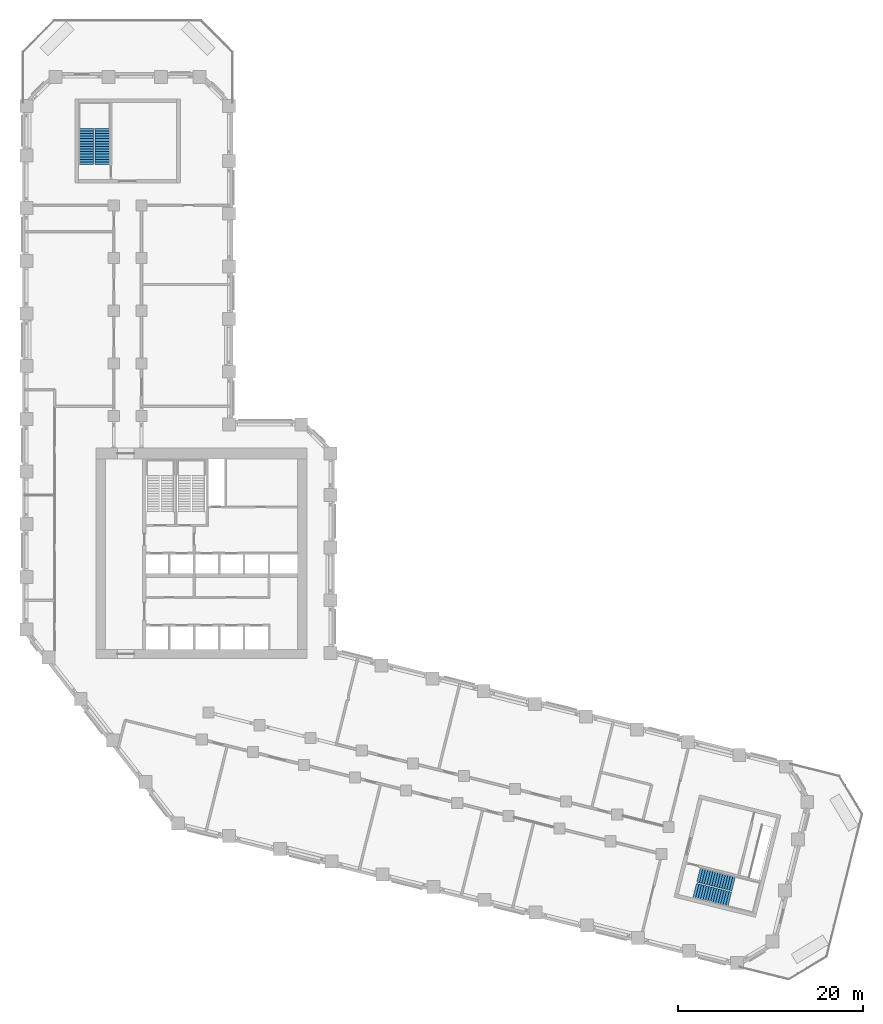
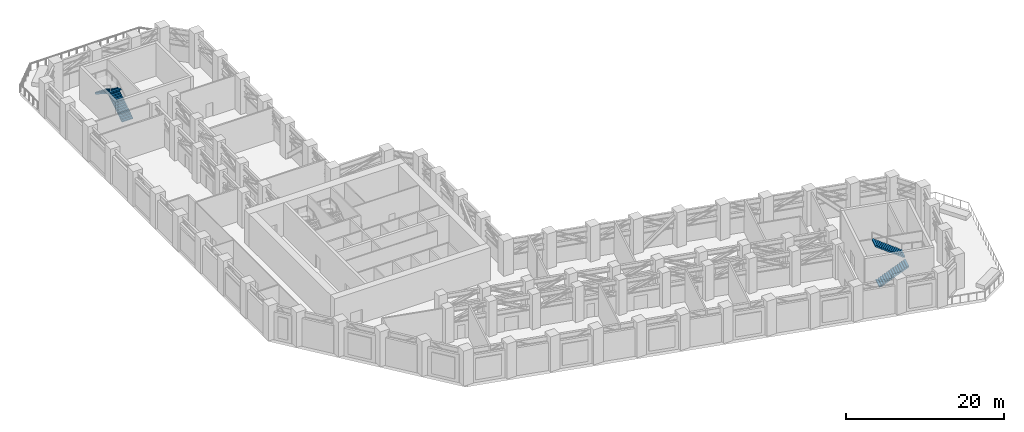
# One storey, part 12 of 14: 4 stair flights, 2 elements without a shape of their own.
"""IFC4 building model written with IfcOpenShell, lengths in metres."""

from ifc_helpers import new_model, si_unit, direction, frame, origin, place, context, subcontext, project, spatial, polyline, outline, extrude, material, type_object, element, aggregate, save


model = new_model("IFC4")

# Units and contexts
model_context = context("Model", 3, precision=1e-05, world=origin(), true_north=direction((0.0, 1.0)))
body_context = subcontext(model_context, "Body", "Model", "MODEL_VIEW")
ifc_project = project(units=[si_unit("LENGTHUNIT", "METRE"), si_unit("AREAUNIT", "SQUARE_METRE"), si_unit("VOLUMEUNIT", "CUBIC_METRE"), si_unit("PLANEANGLEUNIT", "RADIAN"), si_unit("MASSUNIT", "GRAM", prefix="KILO")], contexts=[model_context])

# Site, building, storey
site_placement = place(None, origin())
site = spatial("IfcSite", under=ifc_project, at=site_placement, CompositionType="ELEMENT")
building_placement = place(site_placement, origin())
building = spatial("IfcBuilding", under=site, at=building_placement, Name="Meshkara Civic Tower", CompositionType="ELEMENT")
storey_placement = place(building_placement, frame((0.0, 0.0, 91.800048828125)))
storey = spatial("IfcBuildingStorey", under=building, at=storey_placement, Name="L20", CompositionType="ELEMENT", Elevation=91.800048828125)

# Stair, stair flights
ifc_material_1 = material(Name="Precast concrete C40/50", Category="concrete")
stair_type = type_object("IfcStairType", Name="Exit stair half-turn 30 risers 1600 precast", PredefinedType="HALF_TURN_STAIR", material=ifc_material_1)
stair_1_placement = place(storey_placement, origin())
stair_1 = element("IfcStair", 1, at=stair_1_placement, inside=storey, type_object=stair_type, Name="L20 exit stair A from L20", PredefinedType="HALF_TURN_STAIR")
ifc_material_2 = material(Name="Precast concrete C40/50", Category="concrete")
stair_flight_type = type_object("IfcStairFlightType", Name="Exit stair flight 15 risers 1600 precast", PredefinedType="STRAIGHT", material=ifc_material_2)
stair_flight_1_placement = place(storey_placement, frame((8.675048828125, 67.570068359375, 0.0), z_axis=(0.0, 0.0, 1.0), x_axis=(0.0, 1.0, 0.0)))
stair_flight_1 = element("IfcStairFlight", 2, at=stair_flight_1_placement, type_object=stair_flight_type, Name="ESA2 flight 1", NumberOfRisers=15, NumberOfTreads=14, PredefinedType="STRAIGHT", RiserHeight=0.18, TreadLength=0.28, context=body_context, shape_type="SweptSolid", body=[
    extrude(outline(polyline([(0.0, 0.0), (0.0, 0.179931640625), (0.280029296875, 0.179931640625), (0.280029296875, 0.360107421875), (0.56005859375, 0.360107421875), (0.56005859375, 0.5400390625), (0.840087890625, 0.5400390625), (0.840087890625, 0.719970703125), (1.1201171875, 0.719970703125), (1.1201171875, 0.89990234375), (1.39990234375, 0.89990234375), (1.39990234375, 1.080078125), (1.679931640625, 1.080078125), (1.679931640625, 1.260009765625), (1.9599609375, 1.260009765625), (1.9599609375, 1.43994140625), (2.239990234375, 1.43994140625), (2.239990234375, 1.6201171875), (2.52001953125, 1.6201171875), (2.52001953125, 1.800048828125), (2.800048828125, 1.800048828125), (2.800048828125, 1.97998046875), (3.080078125, 1.97998046875), (3.080078125, 2.159912109375), (3.360107421875, 2.159912109375), (3.360107421875, 2.340087890625), (3.639892578125, 2.340087890625), (3.639892578125, 2.52001953125), (3.919921875, 2.52001953125), (3.919921875, 2.699951171875), (3.919921875, 2.341796875), (0.277099609375, 0.0), (0.0, 0.0)])), frame((0.0, 0.800048828125, 0.0), z_axis=(0.0, -1.0, 0.0), x_axis=(1.0, 0.0, 0.0)), (0.0, 0.0, 1.0), 1.60009765625),
])
stair_flight_2_placement = place(storey_placement, frame((6.925048828125, 71.489990234375, 2.699951171875), z_axis=(0.0, 0.0, 1.0), x_axis=(0.0, -1.0, 0.0)))
stair_flight_2 = element("IfcStairFlight", 3, at=stair_flight_2_placement, type_object=stair_flight_type, Name="ESA2 flight 2", NumberOfRisers=15, NumberOfTreads=14, PredefinedType="STRAIGHT", RiserHeight=0.18, TreadLength=0.28, context=body_context, shape_type="SweptSolid", body=[
    extrude(outline(polyline([(0.0, 0.0), (0.0, 0.179931640625), (0.280029296875, 0.179931640625), (0.280029296875, 0.360107421875), (0.56005859375, 0.360107421875), (0.56005859375, 0.5400390625), (0.840087890625, 0.5400390625), (0.840087890625, 0.719970703125), (1.1201171875, 0.719970703125), (1.1201171875, 0.89990234375), (1.39990234375, 0.89990234375), (1.39990234375, 1.080078125), (1.679931640625, 1.080078125), (1.679931640625, 1.260009765625), (1.9599609375, 1.260009765625), (1.9599609375, 1.43994140625), (2.239990234375, 1.43994140625), (2.239990234375, 1.6201171875), (2.52001953125, 1.6201171875), (2.52001953125, 1.800048828125), (2.800048828125, 1.800048828125), (2.800048828125, 1.97998046875), (3.080078125, 1.97998046875), (3.080078125, 2.159912109375), (3.360107421875, 2.159912109375), (3.360107421875, 2.340087890625), (3.639892578125, 2.340087890625), (3.639892578125, 2.52001953125), (3.919921875, 2.52001953125), (3.919921875, 2.699951171875), (3.919921875, 2.341796875), (0.277099609375, 0.0), (0.0, 0.0)])), frame((0.0, 0.800048828125, 0.0), z_axis=(0.0, -1.0, 0.0), x_axis=(1.0, 0.0, 0.0)), (0.0, 0.0, 1.0), 1.60009765625),
])
aggregate(stair_1, [stair_flight_1, stair_flight_2])

stair_2_placement = place(storey_placement, origin())
stair_2 = element("IfcStair", 4, at=stair_2_placement, inside=storey, type_object=stair_type, Name="L20 exit stair B from L20", PredefinedType="HALF_TURN_STAIR")
stair_flight_3_placement = place(storey_placement, frame((72.7685546875, -11.00634765625, 0.0), z_axis=(0.0, 0.0, 1.0), x_axis=(0.970260066579, -0.242064873955, 0.0)))
stair_flight_3 = element("IfcStairFlight", 5, at=stair_flight_3_placement, type_object=stair_flight_type, Name="ESB2 flight 1", NumberOfRisers=15, NumberOfTreads=14, PredefinedType="STRAIGHT", RiserHeight=0.18, TreadLength=0.28, context=body_context, shape_type="SweptSolid", body=[
    extrude(outline(polyline([(0.0, 0.0), (0.0, 0.179931640625), (0.280029296875, 0.179931640625), (0.280029296875, 0.360107421875), (0.56005859375, 0.360107421875), (0.56005859375, 0.5400390625), (0.840087890625, 0.5400390625), (0.840087890625, 0.719970703125), (1.1201171875, 0.719970703125), (1.1201171875, 0.89990234375), (1.39990234375, 0.89990234375), (1.39990234375, 1.080078125), (1.679931640625, 1.080078125), (1.679931640625, 1.260009765625), (1.9599609375, 1.260009765625), (1.9599609375, 1.43994140625), (2.239990234375, 1.43994140625), (2.239990234375, 1.6201171875), (2.52001953125, 1.6201171875), (2.52001953125, 1.800048828125), (2.800048828125, 1.800048828125), (2.800048828125, 1.97998046875), (3.080078125, 1.97998046875), (3.080078125, 2.159912109375), (3.360107421875, 2.159912109375), (3.360107421875, 2.340087890625), (3.639892578125, 2.340087890625), (3.639892578125, 2.52001953125), (3.919921875, 2.52001953125), (3.919921875, 2.699951171875), (3.919921875, 2.341796875), (0.277099609375, 0.0), (0.0, 0.0)])), frame((0.0, 0.800048828125, 0.0), z_axis=(0.0, -1.0, 0.0), x_axis=(1.0, 0.0, 0.0)), (0.0, 0.0, 1.0), 1.60009765625),
])
stair_flight_4_placement = place(storey_placement, frame((76.99560546875, -10.25732421875, 2.699951171875), z_axis=(0.0, 0.0, 1.0), x_axis=(-0.970260066579, 0.242064873955, 0.0)))
stair_flight_4 = element("IfcStairFlight", 6, at=stair_flight_4_placement, type_object=stair_flight_type, Name="ESB2 flight 2", NumberOfRisers=15, NumberOfTreads=14, PredefinedType="STRAIGHT", RiserHeight=0.18, TreadLength=0.28, context=body_context, shape_type="SweptSolid", body=[
    extrude(outline(polyline([(0.0, 0.0), (0.0, 0.179931640625), (0.280029296875, 0.179931640625), (0.280029296875, 0.360107421875), (0.56005859375, 0.360107421875), (0.56005859375, 0.5400390625), (0.840087890625, 0.5400390625), (0.840087890625, 0.719970703125), (1.1201171875, 0.719970703125), (1.1201171875, 0.89990234375), (1.39990234375, 0.89990234375), (1.39990234375, 1.080078125), (1.679931640625, 1.080078125), (1.679931640625, 1.260009765625), (1.9599609375, 1.260009765625), (1.9599609375, 1.43994140625), (2.239990234375, 1.43994140625), (2.239990234375, 1.6201171875), (2.52001953125, 1.6201171875), (2.52001953125, 1.800048828125), (2.800048828125, 1.800048828125), (2.800048828125, 1.97998046875), (3.080078125, 1.97998046875), (3.080078125, 2.159912109375), (3.360107421875, 2.159912109375), (3.360107421875, 2.340087890625), (3.639892578125, 2.340087890625), (3.639892578125, 2.52001953125), (3.919921875, 2.52001953125), (3.919921875, 2.699951171875), (3.919921875, 2.341796875), (0.277099609375, 0.0), (0.0, 0.0)])), frame((0.0, 0.800048828125, 0.0), z_axis=(0.0, -1.0, 0.0), x_axis=(1.0, 0.0, 0.0)), (0.0, 0.0, 1.0), 1.60009765625),
])
aggregate(stair_2, [stair_flight_3, stair_flight_4])

save(model, "model.ifc")
